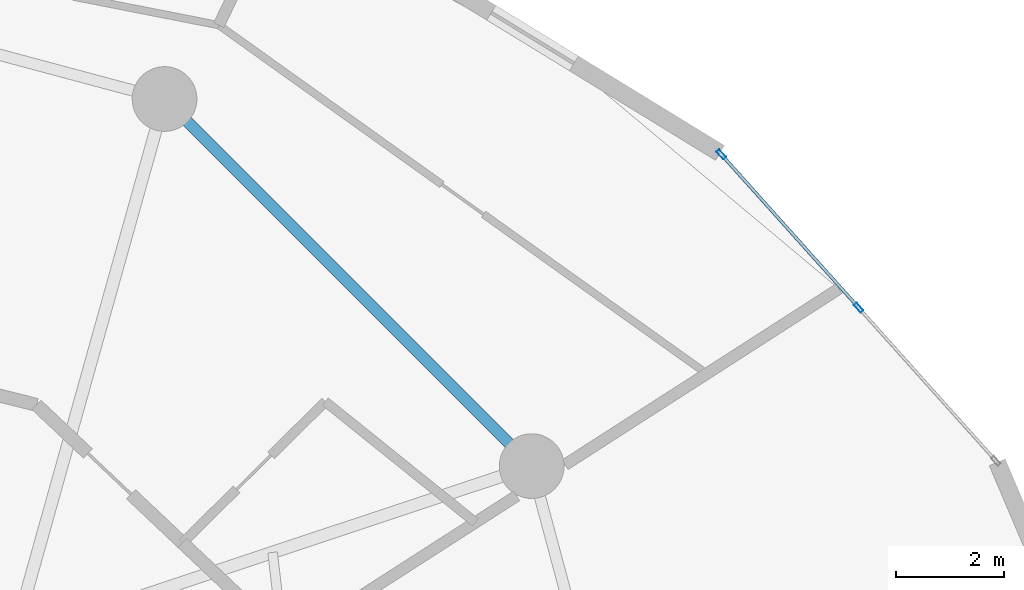
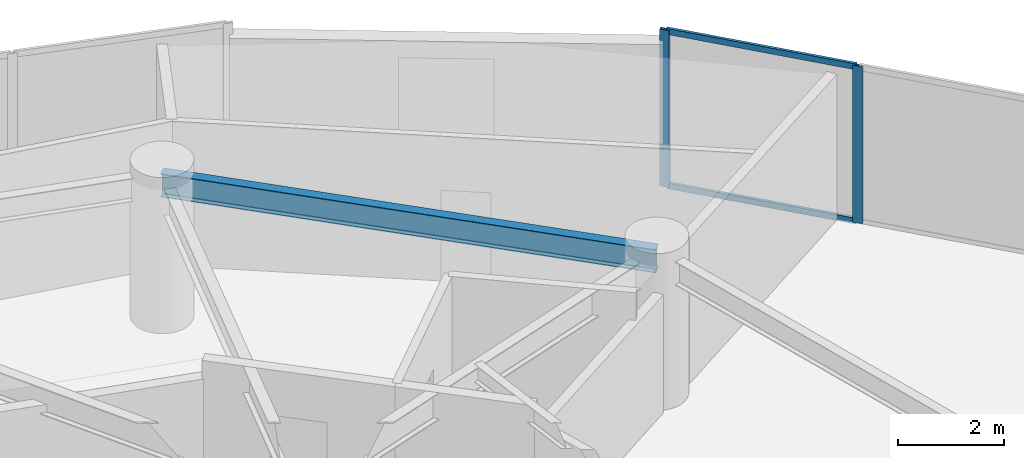
# One storey, part 14 of 23: 4 members, 1 beam, 1 element without a shape of its own.
"""IFC4 building model written with IfcOpenShell, lengths in metres."""

from ifc_helpers import new_model, si_unit, direction, frame, origin, origin_2d, place, context, subcontext, project, spatial, hollow_rectangle, i_section, extrude, source, transform, mapped, material, layer, layer_set, material_profile, profile_set, type_object, element, aggregate, save


model = new_model("IFC4")

# Units and contexts
model_context = context("Model", 3, precision=1e-05, world=origin(), true_north=direction((0.0, 1.0)))
body_context = subcontext(model_context, "Body", "Model", "MODEL_VIEW")
ifc_project = project(units=[si_unit("LENGTHUNIT", "METRE"), si_unit("AREAUNIT", "SQUARE_METRE"), si_unit("VOLUMEUNIT", "CUBIC_METRE"), si_unit("PLANEANGLEUNIT", "RADIAN"), si_unit("MASSUNIT", "GRAM", prefix="KILO")], contexts=[model_context])

# Site, building, storey
site_placement = place(None, origin())
site = spatial("IfcSite", under=ifc_project, at=site_placement, CompositionType="ELEMENT")
building_placement = place(site_placement, origin())
building = spatial("IfcBuilding", under=site, at=building_placement, Name="Solvirekh Grand Hotel", CompositionType="ELEMENT")
storey_placement = place(building_placement, frame((0.0, 0.0, 42.800048828125)))
storey = spatial("IfcBuildingStorey", under=building, at=storey_placement, Name="L09", CompositionType="ELEMENT", Elevation=42.800048828125)

# Beam
ifc_material_1 = material(Name="Steel S355", Category="steel")
ifc_material_profile_1 = material_profile(ifc_material_1, i_section(OverallWidth=0.208984375, OverallDepth=0.532958984375, WebThickness=0.010009765625, FlangeThickness=0.014892578125, FilletRadius=0.013916015625, at=origin_2d()), Name="W530X92")
ifc_profile_set_1 = profile_set([ifc_material_profile_1], Name="Steel S355")
beam_type = type_object("IfcBeamType", Name="Spandrel_Ring_W530", PredefinedType="SPANDREL", material=ifc_profile_set_1)
beam_placement = place(storey_placement, frame((16.10791015625, 9.300048828125, 3.072998046875), z_axis=(-0.707106781187, 0.707106781187, 0.0), x_axis=(-0.707106781187, -0.707106781187, 0.0)))
element("IfcBeam", 1, at=beam_placement, inside=storey, type_object=beam_type, Name="L09 perimeter spandrel beam 2", PredefinedType="SPANDREL", context=body_context, shape_type="SweptSolid", body=[
    extrude(i_section(OverallWidth=0.208984375, OverallDepth=0.532958984375, WebThickness=0.010009765625, FlangeThickness=0.014892578125, FilletRadius=0.013916015625, at=origin_2d()), origin(), (0.0, 0.0, 1.0), 9.627685546875),
])

# Curtain wall, members
ifc_material_2 = material(Name="Anodized Bronze Aluminium 6063-T6", Category="aluminium")
ifc_layer = layer(ifc_material_2, 0.18994140625)
ifc_layer_set = layer_set([ifc_layer], Name="Anodized Bronze Aluminium 6063-T6")
curtain_wall_type = type_object("IfcCurtainWallType", Name="CW_Sys2_LowZoneFlushBronzeCW", PredefinedType="NOTDEFINED", material=ifc_layer_set)
curtain_wall_placement = place(storey_placement, origin())
curtain_wall = element("IfcCurtainWall", 2, at=curtain_wall_placement, inside=storey, type_object=curtain_wall_type, Name="L09 unitised bronze-glass curtain wall CW-L09-C03", PredefinedType="NOTDEFINED")
ifc_material_profile_2 = material_profile(ifc_material_2, hollow_rectangle(XDim=0.06005859375, YDim=0.135009765625, WallThickness=0.00390625, at=origin_2d()), Name="ALU RHS 135X60X4")
ifc_profile_set_2 = profile_set([ifc_material_profile_2], Name="Anodized Bronze Aluminium 6063-T6")
member_type_1 = type_object("IfcMemberType", Name="CWTransom_Sys2", PredefinedType="USERDEFINED", material=ifc_profile_set_2)
shared_shape_1 = source(origin(), body_context, "Body", "SweptSolid", [
    extrude(hollow_rectangle(XDim=0.06005859375, YDim=0.135009765625, WallThickness=0.00390625, at=origin_2d()), origin(), (0.0, 0.0, 1.0), 3.74755859375),
])
member_1_placement = place(storey_placement, frame((22.146728515625, 12.26611328125, 0.030029296875), z_axis=(-0.667383094545, 0.744714579631, 0.0), x_axis=(-0.744714579631, -0.667383094545, 0.0)))
member_1 = element("IfcMember", 3, at=member_1_placement, type_object=member_type_1, Name="U02 transom 2.1", ObjectType="TRANSOM", PredefinedType="USERDEFINED", context=body_context, shape_type="MappedRepresentation", body=[
    mapped(shared_shape_1, transform((0.0, 0.0, 0.0), x_axis=(1.0, 0.0, 0.0), y_axis=(0.0, 1.0, 0.0), z_axis=(0.0, 0.0, 1.0), scale=1.0)),
])
member_2_placement = place(storey_placement, frame((22.146728515625, 12.26611328125, 3.570068359375), z_axis=(-0.667383094545, 0.744714579631, 0.0), x_axis=(-0.744714579631, -0.667383094545, 0.0)))
member_2 = element("IfcMember", 4, at=member_2_placement, type_object=member_type_1, Name="U02 transom 2.2", ObjectType="TRANSOM", PredefinedType="USERDEFINED", context=body_context, shape_type="MappedRepresentation", body=[
    mapped(shared_shape_1, transform((0.0, 0.0, 0.0), x_axis=(1.0, 0.0, 0.0), y_axis=(0.0, 1.0, 0.0), z_axis=(0.0, 0.0, 1.0), scale=1.0)),
])
ifc_material_profile_3 = material_profile(ifc_material_2, hollow_rectangle(XDim=0.070068359375, YDim=0.18994140625, WallThickness=0.0048828125, at=origin_2d()), Name="ALU RHS 190X70X5")
ifc_profile_set_3 = profile_set([ifc_material_profile_3], Name="Anodized Bronze Aluminium 6063-T6")
member_type_2 = type_object("IfcMemberType", Name="CWMullion_Sys2", PredefinedType="MULLION", material=ifc_profile_set_3)
shared_shape_2 = source(origin(), body_context, "Body", "SweptSolid", [
    extrude(hollow_rectangle(XDim=0.070068359375, YDim=0.18994140625, WallThickness=0.0048828125, at=origin_2d()), origin(), (0.0, 0.0, 1.0), 3.599853515625),
])
member_3_placement = place(storey_placement, frame((22.169921875, 12.239990234375, 0.0), z_axis=(0.0, 0.0, 1.0), x_axis=(-0.744725132095, -0.667371319152, 0.0)))
member_3 = element("IfcMember", 5, at=member_3_placement, type_object=member_type_2, Name="U02 mullion 2", PredefinedType="MULLION", context=body_context, shape_type="MappedRepresentation", body=[
    mapped(shared_shape_2, transform((0.0, 0.0, 0.0), x_axis=(1.0, 0.0, 0.0), y_axis=(0.0, 1.0, 0.0), z_axis=(0.0, 0.0, 1.0), scale=1.0)),
])
member_4_placement = place(storey_placement, frame((19.622314453125, 15.0830078125, 0.0), z_axis=(0.0, 0.0, 1.0), x_axis=(-0.744725132095, -0.667371319152, 0.0)))
member_4 = element("IfcMember", 6, at=member_4_placement, type_object=member_type_2, Name="U02 mullion 3", PredefinedType="MULLION", context=body_context, shape_type="MappedRepresentation", body=[
    mapped(shared_shape_2, transform((0.0, 0.0, 0.0), x_axis=(1.0, 0.0, 0.0), y_axis=(0.0, 1.0, 0.0), z_axis=(0.0, 0.0, 1.0), scale=1.0)),
])
aggregate(curtain_wall, [member_3, member_4, member_1, member_2])

save(model, "model.ifc")
